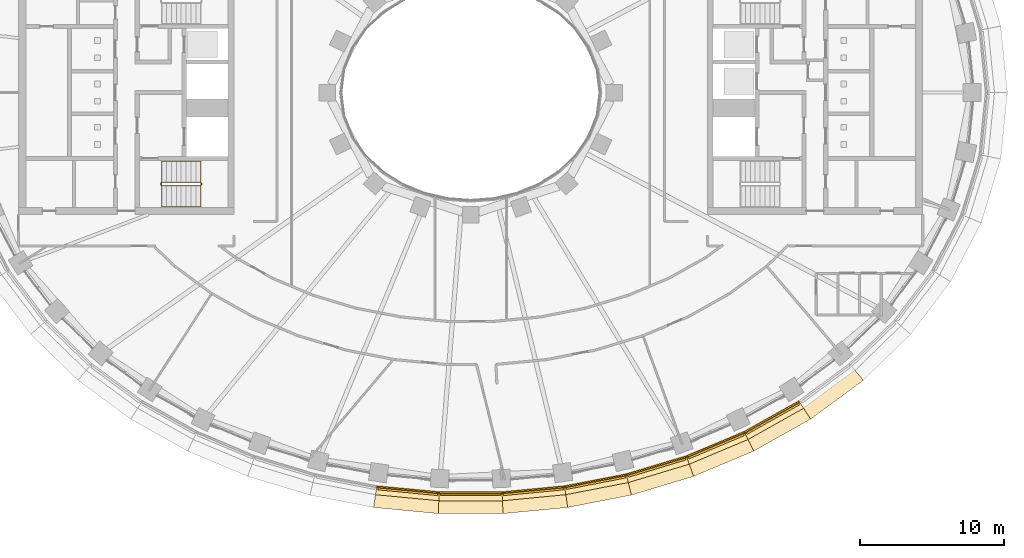
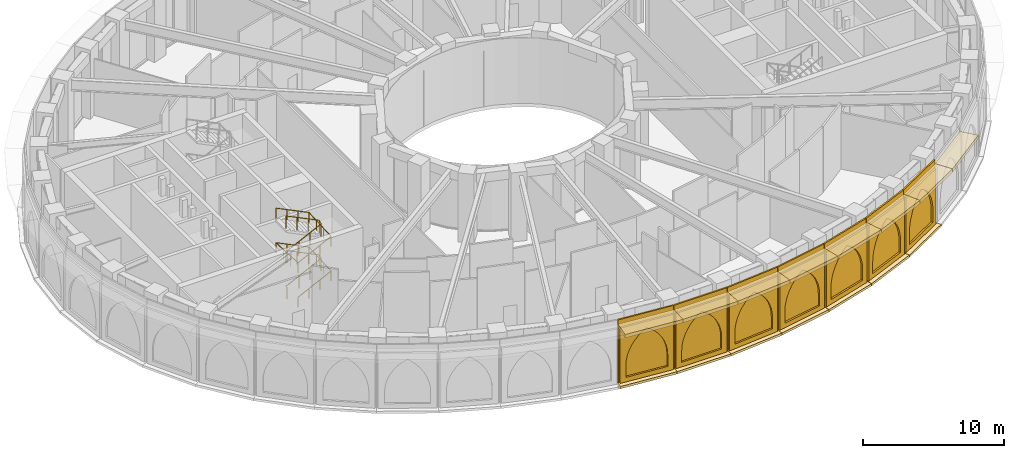
# One storey, part 18 of 23: 29 coverings, 2 railings.
"""IFC4 building model written with IfcOpenShell, lengths in metres."""

from ifc_helpers import new_model, si_unit, direction, frame, origin, origin_2d, place, context, subcontext, project, spatial, polyline, rectangle, outline, extrude, material, layer, layer_set, type_object, element, save


model = new_model("IFC4")

# Units and contexts
model_context = context("Model", 3, precision=1e-05, world=origin(), true_north=direction((0.0, 1.0)))
body_context = subcontext(model_context, "Body", "Model", "MODEL_VIEW")
ifc_project = project(units=[si_unit("LENGTHUNIT", "METRE"), si_unit("AREAUNIT", "SQUARE_METRE"), si_unit("VOLUMEUNIT", "CUBIC_METRE"), si_unit("PLANEANGLEUNIT", "RADIAN"), si_unit("MASSUNIT", "GRAM", prefix="KILO")], contexts=[model_context])

# Site, building, storey
site_placement = place(None, origin())
site = spatial("IfcSite", under=ifc_project, at=site_placement, CompositionType="ELEMENT")
building_placement = place(site_placement, origin())
building = spatial("IfcBuilding", under=site, at=building_placement, Name="Noorbagh Ring Tower", CompositionType="ELEMENT")
storey_placement = place(building_placement, frame((0.0, 0.0, 140.0)))
storey = spatial("IfcBuildingStorey", under=building, at=storey_placement, Name="L32", CompositionType="ELEMENT", Elevation=140.0)

# Railings
ifc_material_1 = material(Name="Stainless steel", Category="steel")
railing_type_1 = type_object("IfcRailingType", Name="CORE-STAIR-GUARD", PredefinedType="GUARDRAIL", material=ifc_material_1)
railing_1_placement = place(storey_placement, frame((-21.580078125, -6.449951171875, 0.0)))
element("IfcRailing", 1, at=railing_1_placement, inside=storey, type_object=railing_type_1, Name="L32 ST2 stair guard", PredefinedType="GUARDRAIL", context=body_context, shape_type="SweptSolid", body=[
    extrude(rectangle(XDim=0.048095703125, YDim=0.048095703125, at=origin_2d()), frame((0.0, 0.0, 1.076171875), z_axis=(0.0, 1.0, 0.0), x_axis=(-1.0, 0.0, 0.0)), (0.0, 0.0, 1.0), 0.14990234375),
    extrude(rectangle(XDim=0.048095703125, YDim=0.048095703125, at=origin_2d()), frame((0.0, 0.14990234375, 1.076171875), z_axis=(0.188775798145, -0.754182335027, 0.628945707965), x_axis=(0.970072785993, 0.242814311512, 0.0)), (0.0, 0.0, 1.0), 0.26513671875),
    extrude(rectangle(XDim=0.048095703125, YDim=0.048095703125, at=origin_2d()), frame((0.050048828125, -0.050048828125, 1.24267578125), z_axis=(0.897929466783, 0.0, 0.4401393787), x_axis=(0.0, 1.0, 0.0)), (0.0, 0.0, 1.0), 3.029052734375),
    extrude(rectangle(XDim=0.048095703125, YDim=0.048095703125, at=origin_2d()), frame((2.77001953125, -0.050048828125, 2.576171875), z_axis=(0.707106781187, 0.707106781187, 0.0), x_axis=(-0.707106781187, 0.707106781187, 0.0)), (0.0, 0.0, 1.0), 0.07080078125),
    extrude(rectangle(XDim=0.048095703125, YDim=0.048095703125, at=origin_2d()), frame((2.820068359375, 0.0, 2.576171875), z_axis=(0.0, 1.0, 0.0), x_axis=(-1.0, 0.0, 0.0)), (0.0, 0.0, 1.0), 0.14990234375),
    extrude(rectangle(XDim=0.048095703125, YDim=0.048095703125, at=origin_2d()), frame((2.820068359375, 0.14990234375, 2.576171875), z_axis=(-0.27628659633, 0.27628659633, 0.920506074601), x_axis=(-0.707106781187, -0.707106781187, 0.0)), (0.0, 0.0, 1.0), 0.18115234375),
    extrude(rectangle(XDim=0.048095703125, YDim=0.048095703125, at=origin_2d()), frame((2.77001953125, 0.199951171875, 2.74267578125), z_axis=(-0.897929466783, 0.0, 0.4401393787), x_axis=(0.0, -1.0, 0.0)), (0.0, 0.0, 1.0), 3.029052734375),
    extrude(rectangle(XDim=0.048095703125, YDim=0.048095703125, at=origin_2d()), frame((0.050048828125, 0.199951171875, 4.076171875), z_axis=(-0.242814311512, -0.970072785993, 0.0), x_axis=(0.970072785993, -0.242814311512, 0.0)), (0.0, 0.0, 1.0), 0.2060546875),
    extrude(rectangle(XDim=0.048095703125, YDim=0.048095703125, at=origin_2d()), frame((0.0, 0.0, 4.076171875), z_axis=(0.0, 1.0, 0.0), x_axis=(-1.0, 0.0, 0.0)), (0.0, 0.0, 1.0), 0.14990234375),
    extrude(rectangle(XDim=0.048095703125, YDim=0.048095703125, at=origin_2d()), frame((0.0, 0.14990234375, 4.076171875), z_axis=(0.188775798145, -0.754182335027, 0.628945707965), x_axis=(0.970072785993, 0.242814311512, 0.0)), (0.0, 0.0, 1.0), 0.26513671875),
    extrude(rectangle(XDim=0.048095703125, YDim=0.048095703125, at=origin_2d()), frame((0.050048828125, -0.050048828125, 4.24267578125), z_axis=(0.897929466783, 0.0, 0.4401393787), x_axis=(0.0, 1.0, 0.0)), (0.0, 0.0, 1.0), 3.029052734375),
    extrude(rectangle(XDim=0.048095703125, YDim=0.048095703125, at=origin_2d()), frame((2.77001953125, -0.050048828125, 5.576171875), z_axis=(0.707106781187, 0.707106781187, 0.0), x_axis=(-0.707106781187, 0.707106781187, 0.0)), (0.0, 0.0, 1.0), 0.07080078125),
    extrude(rectangle(XDim=0.048095703125, YDim=0.048095703125, at=origin_2d()), frame((2.820068359375, 0.0, 5.576171875), z_axis=(0.0, 1.0, 0.0), x_axis=(-1.0, 0.0, 0.0)), (0.0, 0.0, 1.0), 0.14990234375),
    extrude(rectangle(XDim=0.048095703125, YDim=0.048095703125, at=origin_2d()), frame((2.820068359375, 0.14990234375, 5.576171875), z_axis=(-0.27628659633, 0.27628659633, 0.920506074601), x_axis=(-0.707106781187, -0.707106781187, 0.0)), (0.0, 0.0, 1.0), 0.18115234375),
    extrude(rectangle(XDim=0.048095703125, YDim=0.048095703125, at=origin_2d()), frame((2.77001953125, 0.199951171875, 5.74267578125), z_axis=(-0.897929466783, 0.0, 0.4401393787), x_axis=(0.0, -1.0, 0.0)), (0.0, 0.0, 1.0), 3.029052734375),
    extrude(rectangle(XDim=0.0419921875, YDim=0.0419921875, at=origin_2d()), origin(), (0.0, 0.0, 1.0), 1.052001953125),
    extrude(rectangle(XDim=0.0419921875, YDim=0.0419921875, at=origin_2d()), frame((0.956787109375, -0.050048828125, 0.611083984375)), (0.0, 0.0, 1.0), 1.052001953125),
    extrude(rectangle(XDim=0.0419921875, YDim=0.0419921875, at=origin_2d()), frame((1.86328125, -0.050048828125, 1.0556640625)), (0.0, 0.0, 1.0), 1.052001953125),
    extrude(rectangle(XDim=0.0419921875, YDim=0.0419921875, at=origin_2d()), frame((2.77001953125, -0.050048828125, 1.5)), (0.0, 0.0, 1.0), 1.052001953125),
    extrude(rectangle(XDim=0.0419921875, YDim=0.0419921875, at=origin_2d()), frame((2.77001953125, 0.199951171875, 1.666748046875)), (0.0, 0.0, 1.0), 1.052001953125),
    extrude(rectangle(XDim=0.0419921875, YDim=0.0419921875, at=origin_2d()), frame((1.86328125, 0.199951171875, 2.111083984375)), (0.0, 0.0, 1.0), 1.052001953125),
    extrude(rectangle(XDim=0.0419921875, YDim=0.0419921875, at=origin_2d()), frame((0.956787109375, 0.199951171875, 2.5556640625)), (0.0, 0.0, 1.0), 1.052001953125),
    extrude(rectangle(XDim=0.0419921875, YDim=0.0419921875, at=origin_2d()), frame((0.050048828125, 0.199951171875, 3.0)), (0.0, 0.0, 1.0), 1.052001953125),
    extrude(rectangle(XDim=0.0419921875, YDim=0.0419921875, at=origin_2d()), frame((0.050048828125, -0.050048828125, 3.166748046875)), (0.0, 0.0, 1.0), 1.052001953125),
    extrude(rectangle(XDim=0.0419921875, YDim=0.0419921875, at=origin_2d()), frame((0.956787109375, -0.050048828125, 3.611083984375)), (0.0, 0.0, 1.0), 1.052001953125),
    extrude(rectangle(XDim=0.0419921875, YDim=0.0419921875, at=origin_2d()), frame((1.86328125, -0.050048828125, 4.0556640625)), (0.0, 0.0, 1.0), 1.052001953125),
    extrude(rectangle(XDim=0.0419921875, YDim=0.0419921875, at=origin_2d()), frame((2.77001953125, -0.050048828125, 4.5)), (0.0, 0.0, 1.0), 1.052001953125),
    extrude(rectangle(XDim=0.0419921875, YDim=0.0419921875, at=origin_2d()), frame((2.77001953125, 0.199951171875, 4.666748046875)), (0.0, 0.0, 1.0), 1.052001953125),
    extrude(rectangle(XDim=0.0419921875, YDim=0.0419921875, at=origin_2d()), frame((1.86328125, 0.199951171875, 5.111083984375)), (0.0, 0.0, 1.0), 1.052001953125),
    extrude(rectangle(XDim=0.0419921875, YDim=0.0419921875, at=origin_2d()), frame((0.956787109375, 0.199951171875, 5.5556640625)), (0.0, 0.0, 1.0), 1.052001953125),
    extrude(rectangle(XDim=0.0419921875, YDim=0.0419921875, at=origin_2d()), frame((0.050048828125, 0.199951171875, 6.0)), (0.0, 0.0, 1.0), 1.052001953125),
])
ifc_material_2 = material(Name="Stainless steel", Category="steel")
railing_type_2 = type_object("IfcRailingType", Name="CORE-STAIR-HANDRAIL", PredefinedType="HANDRAIL", material=ifc_material_2)
railing_2_placement = place(storey_placement, frame((-21.530029296875, -7.949951171875, 0.166748046875)))
element("IfcRailing", 2, at=railing_2_placement, inside=storey, type_object=railing_type_2, Name="L32 ST2 stair handrail", PredefinedType="HANDRAIL", context=body_context, shape_type="SweptSolid", body=[
    extrude(rectangle(XDim=0.048095703125, YDim=0.048095703125, at=origin_2d()), frame((0.0, 0.0, 0.8759765625), z_axis=(0.897929466783, 0.0, 0.4401393787), x_axis=(0.0, 1.0, 0.0)), (0.0, 0.0, 1.0), 3.029052734375),
    extrude(rectangle(XDim=0.048095703125, YDim=0.048095703125, at=origin_2d()), frame((2.719970703125, 0.0, 2.208984375), z_axis=(0.0, 0.998601747152, 0.052863509014), x_axis=(-1.0, 0.0, 0.0)), (0.0, 0.0, 1.0), 3.154296875),
    extrude(rectangle(XDim=0.048095703125, YDim=0.048095703125, at=origin_2d()), frame((2.719970703125, 3.14990234375, 2.3759765625), z_axis=(-0.897929466783, 0.0, 0.4401393787), x_axis=(0.0, -1.0, 0.0)), (0.0, 0.0, 1.0), 3.029052734375),
    extrude(rectangle(XDim=0.048095703125, YDim=0.048095703125, at=origin_2d()), frame((0.0, 3.14990234375, 3.708984375), z_axis=(0.0, -0.998601747152, 0.052863509014), x_axis=(1.0, 0.0, 0.0)), (0.0, 0.0, 1.0), 3.154296875),
    extrude(rectangle(XDim=0.048095703125, YDim=0.048095703125, at=origin_2d()), frame((0.0, 0.0, 3.8759765625), z_axis=(0.897929466783, 0.0, 0.4401393787), x_axis=(0.0, 1.0, 0.0)), (0.0, 0.0, 1.0), 3.029052734375),
    extrude(rectangle(XDim=0.048095703125, YDim=0.048095703125, at=origin_2d()), frame((2.719970703125, 0.0, 5.208984375), z_axis=(0.0, 0.998601747152, 0.052863509014), x_axis=(-1.0, 0.0, 0.0)), (0.0, 0.0, 1.0), 3.154296875),
    extrude(rectangle(XDim=0.048095703125, YDim=0.048095703125, at=origin_2d()), frame((2.719970703125, 3.14990234375, 5.3759765625), z_axis=(-0.897929466783, 0.0, 0.4401393787), x_axis=(0.0, -1.0, 0.0)), (0.0, 0.0, 1.0), 3.029052734375),
    extrude(rectangle(XDim=0.0419921875, YDim=0.0419921875, at=origin_2d()), origin(), (0.0, 0.0, 1.0), 0.851806640625),
    extrude(rectangle(XDim=0.0419921875, YDim=0.0419921875, at=origin_2d()), frame((0.90673828125, 0.0, 0.4443359375)), (0.0, 0.0, 1.0), 0.851806640625),
    extrude(rectangle(XDim=0.0419921875, YDim=0.0419921875, at=origin_2d()), frame((1.813232421875, 0.0, 0.888916015625)), (0.0, 0.0, 1.0), 0.851806640625),
    extrude(rectangle(XDim=0.0419921875, YDim=0.0419921875, at=origin_2d()), frame((2.719970703125, 0.0, 1.333251953125)), (0.0, 0.0, 1.0), 0.851806640625),
    extrude(rectangle(XDim=0.0419921875, YDim=0.0419921875, at=origin_2d()), frame((2.719970703125, 1.050048828125, 1.388916015625)), (0.0, 0.0, 1.0), 0.851806640625),
    extrude(rectangle(XDim=0.0419921875, YDim=0.0419921875, at=origin_2d()), frame((2.719970703125, 2.099853515625, 1.4443359375)), (0.0, 0.0, 1.0), 0.851806640625),
    extrude(rectangle(XDim=0.0419921875, YDim=0.0419921875, at=origin_2d()), frame((2.719970703125, 3.14990234375, 1.5)), (0.0, 0.0, 1.0), 0.851806640625),
    extrude(rectangle(XDim=0.0419921875, YDim=0.0419921875, at=origin_2d()), frame((1.813232421875, 3.14990234375, 1.9443359375)), (0.0, 0.0, 1.0), 0.851806640625),
    extrude(rectangle(XDim=0.0419921875, YDim=0.0419921875, at=origin_2d()), frame((0.90673828125, 3.14990234375, 2.388916015625)), (0.0, 0.0, 1.0), 0.851806640625),
    extrude(rectangle(XDim=0.0419921875, YDim=0.0419921875, at=origin_2d()), frame((0.0, 3.14990234375, 2.833251953125)), (0.0, 0.0, 1.0), 0.851806640625),
    extrude(rectangle(XDim=0.0419921875, YDim=0.0419921875, at=origin_2d()), frame((0.0, 2.099853515625, 2.888916015625)), (0.0, 0.0, 1.0), 0.851806640625),
    extrude(rectangle(XDim=0.0419921875, YDim=0.0419921875, at=origin_2d()), frame((0.0, 1.050048828125, 2.9443359375)), (0.0, 0.0, 1.0), 0.851806640625),
    extrude(rectangle(XDim=0.0419921875, YDim=0.0419921875, at=origin_2d()), frame((0.0, 0.0, 3.0)), (0.0, 0.0, 1.0), 0.851806640625),
    extrude(rectangle(XDim=0.0419921875, YDim=0.0419921875, at=origin_2d()), frame((0.90673828125, 0.0, 3.4443359375)), (0.0, 0.0, 1.0), 0.851806640625),
    extrude(rectangle(XDim=0.0419921875, YDim=0.0419921875, at=origin_2d()), frame((1.813232421875, 0.0, 3.888916015625)), (0.0, 0.0, 1.0), 0.851806640625),
    extrude(rectangle(XDim=0.0419921875, YDim=0.0419921875, at=origin_2d()), frame((2.719970703125, 0.0, 4.333251953125)), (0.0, 0.0, 1.0), 0.851806640625),
    extrude(rectangle(XDim=0.0419921875, YDim=0.0419921875, at=origin_2d()), frame((2.719970703125, 1.050048828125, 4.388916015625)), (0.0, 0.0, 1.0), 0.851806640625),
    extrude(rectangle(XDim=0.0419921875, YDim=0.0419921875, at=origin_2d()), frame((2.719970703125, 2.099853515625, 4.4443359375)), (0.0, 0.0, 1.0), 0.851806640625),
    extrude(rectangle(XDim=0.0419921875, YDim=0.0419921875, at=origin_2d()), frame((2.719970703125, 3.14990234375, 4.5)), (0.0, 0.0, 1.0), 0.851806640625),
    extrude(rectangle(XDim=0.0419921875, YDim=0.0419921875, at=origin_2d()), frame((1.813232421875, 3.14990234375, 4.9443359375)), (0.0, 0.0, 1.0), 0.851806640625),
    extrude(rectangle(XDim=0.0419921875, YDim=0.0419921875, at=origin_2d()), frame((0.90673828125, 3.14990234375, 5.388916015625)), (0.0, 0.0, 1.0), 0.851806640625),
    extrude(rectangle(XDim=0.0419921875, YDim=0.0419921875, at=origin_2d()), frame((0.0, 3.14990234375, 5.833251953125)), (0.0, 0.0, 1.0), 0.851806640625),
])

# Coverings
ifc_material_3 = material(Name="Aluminium 6063-T6 black anodised", Category="aluminium")
ifc_layer_1 = layer(ifc_material_3, 0.1201171875)
ifc_layer_set_1 = layer_set([ifc_layer_1], Name="Aluminium 6063-T6 black anodised")
covering_type_1 = type_object("IfcCoveringType", Name="ENV-LOUVRE-BAND", PredefinedType="CLADDING", material=ifc_layer_set_1)
for number, where, z_axis, x_axis, name in (
    (3, (-4.37060546875, -27.679931640625, -0.300048828125), (0.0, 0.0, 1.0), (0.995476497323, -0.095008122171, 0.0), "Louvre screen chord 34"),
    (4, (0.0, -27.887939453125, -0.300048828125), (0.0, 0.0, 1.0), (1.0, 0.0, 0.0), "Louvre screen chord 35"),
    (5, (4.37060546875, -27.679931640625, -0.300048828125), (0.0, 0.0, 1.0), (0.995476497323, 0.095008122171, 0.0), "Louvre screen chord 36"),
    (6, (8.700927734375, -27.053955078125, -0.300048828125), (0.0, 0.0, 1.0), (0.981624952922, 0.190820470077, 0.0), "Louvre screen chord 37"),
):
    element("IfcCovering", number, at=place(storey_placement, frame(where, z_axis=z_axis, x_axis=x_axis)), inside=storey, type_object=covering_type_1, Name=name, ObjectType="LOUVRE", PredefinedType="CLADDING", context=body_context, shape_type="SweptSolid", body=[
        extrude(rectangle(XDim=4.349853515625, YDim=0.1201171875, at=origin_2d()), origin(), (0.0, 0.0, 1.0), 6.0),
    ])
covering_1_placement = place(storey_placement, frame((12.947998046875, -26.0048828125, -0.300048828125), z_axis=(0.0, 0.0, 1.0), x_axis=(0.957577925467, 0.28817445525, 0.0)))
element("IfcCovering", 7, at=covering_1_placement, inside=storey, type_object=covering_type_1, Name="Louvre screen chord 38", ObjectType="LOUVRE", PredefinedType="CLADDING", context=body_context, shape_type="SweptSolid", body=[
    extrude(rectangle(XDim=4.349609375, YDim=0.1201171875, at=origin_2d()), origin(), (0.0, 0.0, 1.0), 6.0),
])
covering_2_placement = place(storey_placement, frame((17.0634765625, -24.52490234375, -0.300048828125), z_axis=(0.0, 0.0, 1.0), x_axis=(0.921811566494, 0.387638279686, 0.0)))
element("IfcCovering", 8, at=covering_2_placement, inside=storey, type_object=covering_type_1, Name="Louvre screen chord 39", ObjectType="LOUVRE", PredefinedType="CLADDING", context=body_context, shape_type="SweptSolid", body=[
    extrude(rectangle(XDim=4.349365234375, YDim=0.1201171875, at=origin_2d()), origin(), (0.0, 0.0, 1.0), 6.0),
])
covering_3_placement = place(storey_placement, frame((20.990966796875, -22.604736328125, -0.300048828125), z_axis=(0.0, 0.0, 1.0), x_axis=(0.872044586249, 0.48942643941, 0.0)))
element("IfcCovering", 9, at=covering_3_placement, inside=storey, type_object=covering_type_1, Name="Louvre screen chord 40", ObjectType="LOUVRE", PredefinedType="CLADDING", context=body_context, shape_type="SweptSolid", body=[
    extrude(rectangle(XDim=4.34912109375, YDim=0.1201171875, at=origin_2d()), origin(), (0.0, 0.0, 1.0), 6.0),
])
ifc_material_4 = material(Name="Red sandstone cladding", Category="masonry")
ifc_layer_2 = layer(ifc_material_4, 0.14990234375)
ifc_layer_set_2 = layer_set([ifc_layer_2], Name="Red sandstone cladding")
covering_type_2 = type_object("IfcCoveringType", Name="STYLE-BAND-ARCADE", PredefinedType="USERDEFINED", material=ifc_layer_set_2)
covering_4_placement = place(storey_placement, frame((-6.474365234375, -27.690185546875, 0.25), z_axis=(-0.094998982718, -0.995477369548, 0.0), x_axis=(0.995477369548, -0.094998982718, 0.0)))
element("IfcCovering", 10, at=covering_4_placement, inside=storey, type_object=covering_type_2, Name="Blind arch bay of the band", ObjectType="ARCH", PredefinedType="USERDEFINED", context=body_context, shape_type="SweptSolid", body=[
    extrude(outline(polyline([(0.0, 0.0), (4.1865234375, 0.0), (4.1865234375, 4.800048828125), (0.0, 4.800048828125), (0.0, 0.0)]), holes=[polyline([(0.449951171875, 0.39990234375), (0.449951171875, 1.404052734375), (0.47802734375, 1.8330078125), (0.56201171875, 2.254638671875), (0.7001953125, 2.66162109375), (0.890380859375, 3.047119140625), (1.129150390625, 3.404541015625), (1.41259765625, 3.727783203125), (1.735595703125, 4.01123046875), (2.09326171875, 4.25), (2.45068359375, 4.01123046875), (2.773681640625, 3.727783203125), (3.05712890625, 3.404541015625), (3.2958984375, 3.047119140625), (3.486083984375, 2.66162109375), (3.624267578125, 2.254638671875), (3.708251953125, 1.8330078125), (3.736328125, 1.404052734375), (3.736328125, 0.39990234375), (0.449951171875, 0.39990234375)])]), origin(), (0.0, 0.0, -1.0), 0.14990234375),
])
covering_5_placement = place(storey_placement, frame((-2.09326171875, -28.097900390625, 0.25), z_axis=(0.0, -1.0, 0.0), x_axis=(1.0, 0.0, 0.0)))
element("IfcCovering", 11, at=covering_5_placement, inside=storey, type_object=covering_type_2, Name="Blind arch bay of the band", ObjectType="ARCH", PredefinedType="USERDEFINED", context=body_context, shape_type="SweptSolid", body=[
    extrude(outline(polyline([(0.0, 0.0), (4.1865234375, 0.0), (4.1865234375, 4.800048828125), (0.0, 4.800048828125), (0.0, 0.0)]), holes=[polyline([(0.449951171875, 0.39990234375), (0.449951171875, 1.404052734375), (0.47802734375, 1.8330078125), (0.56201171875, 2.254638671875), (0.7001953125, 2.66162109375), (0.890380859375, 3.047119140625), (1.129150390625, 3.404541015625), (1.41259765625, 3.727783203125), (1.735595703125, 4.01123046875), (2.09326171875, 4.25), (2.45068359375, 4.01123046875), (2.773681640625, 3.727783203125), (3.05712890625, 3.404541015625), (3.296142578125, 3.047119140625), (3.486083984375, 2.66162109375), (3.62451171875, 2.254638671875), (3.708251953125, 1.8330078125), (3.736328125, 1.404052734375), (3.736328125, 0.39990234375), (0.449951171875, 0.39990234375)])]), origin(), (0.0, 0.0, -1.0), 0.14990234375),
])
covering_6_placement = place(storey_placement, frame((2.306884765625, -28.087890625, 0.25), z_axis=(0.094998982718, -0.995477369548, 0.0), x_axis=(0.995477369548, 0.094998982718, 0.0)))
element("IfcCovering", 12, at=covering_6_placement, inside=storey, type_object=covering_type_2, Name="Blind arch bay of the band", ObjectType="ARCH", PredefinedType="USERDEFINED", context=body_context, shape_type="SweptSolid", body=[
    extrude(outline(polyline([(0.0, 0.0), (4.1865234375, 0.0), (4.1865234375, 4.800048828125), (0.0, 4.800048828125), (0.0, 0.0)]), holes=[polyline([(0.449951171875, 0.39990234375), (0.449951171875, 1.404052734375), (0.47802734375, 1.8330078125), (0.56201171875, 2.254638671875), (0.7001953125, 2.66162109375), (0.890380859375, 3.047119140625), (1.129150390625, 3.404541015625), (1.41259765625, 3.727783203125), (1.735595703125, 4.01123046875), (2.09326171875, 4.25), (2.45068359375, 4.01123046875), (2.773681640625, 3.727783203125), (3.05712890625, 3.404541015625), (3.2958984375, 3.047119140625), (3.486083984375, 2.66162109375), (3.624267578125, 2.254638671875), (3.708251953125, 1.8330078125), (3.736328125, 1.404052734375), (3.736328125, 0.39990234375), (0.449951171875, 0.39990234375)])]), origin(), (0.0, 0.0, -1.0), 0.14990234375),
])
covering_7_placement = place(storey_placement, frame((6.6865234375, -27.659423828125, 0.25), z_axis=(0.190819708322, -0.981625101001, 0.0), x_axis=(0.981625101001, 0.190819708322, 0.0)))
element("IfcCovering", 13, at=covering_7_placement, inside=storey, type_object=covering_type_2, Name="Blind arch bay of the band", ObjectType="ARCH", PredefinedType="USERDEFINED", context=body_context, shape_type="SweptSolid", body=[
    extrude(outline(polyline([(0.0, 0.0), (4.186279296875, 0.0), (4.186279296875, 4.800048828125), (0.0, 4.800048828125), (0.0, 0.0)]), holes=[polyline([(0.449951171875, 0.39990234375), (0.449951171875, 1.404052734375), (0.47802734375, 1.8330078125), (0.56201171875, 2.254638671875), (0.7001953125, 2.66162109375), (0.890380859375, 3.047119140625), (1.129150390625, 3.40478515625), (1.41259765625, 3.727783203125), (1.735595703125, 4.01123046875), (2.093017578125, 4.25), (2.450439453125, 4.01123046875), (2.773681640625, 3.727783203125), (3.05712890625, 3.40478515625), (3.2958984375, 3.047119140625), (3.486083984375, 2.66162109375), (3.624267578125, 2.254638671875), (3.7080078125, 1.8330078125), (3.736083984375, 1.404052734375), (3.736083984375, 0.39990234375), (0.449951171875, 0.39990234375)])]), origin(), (0.0, 0.0, -1.0), 0.14990234375),
])
covering_8_placement = place(storey_placement, frame((11.00439453125, -26.80908203125, 0.25), z_axis=(0.288182515773, -0.957575499688, 0.0), x_axis=(0.957575499688, 0.288182515773, 0.0)))
element("IfcCovering", 14, at=covering_8_placement, inside=storey, type_object=covering_type_2, Name="Blind arch bay of the band", ObjectType="ARCH", PredefinedType="USERDEFINED", context=body_context, shape_type="SweptSolid", body=[
    extrude(outline(polyline([(0.0, 0.0), (4.185791015625, 0.0), (4.185791015625, 4.800048828125), (0.0, 4.800048828125), (0.0, 0.0)]), holes=[polyline([(0.449951171875, 0.39990234375), (0.449951171875, 1.404296875), (0.47802734375, 1.833251953125), (0.56201171875, 2.2548828125), (0.7001953125, 2.661865234375), (0.890380859375, 3.04736328125), (1.129150390625, 3.40478515625), (1.41259765625, 3.727783203125), (1.735595703125, 4.01123046875), (2.093017578125, 4.25), (2.450439453125, 4.01123046875), (2.773681640625, 3.727783203125), (3.056884765625, 3.40478515625), (3.2958984375, 3.04736328125), (3.48583984375, 2.661865234375), (3.6240234375, 2.2548828125), (3.7080078125, 1.833251953125), (3.736083984375, 1.404296875), (3.736083984375, 0.39990234375), (0.449951171875, 0.39990234375)])]), origin(), (0.0, 0.0, -1.0), 0.14990234375),
])
covering_9_placement = place(storey_placement, frame((15.215576171875, -25.52978515625, 0.25), z_axis=(0.387624121421, -0.92181752017, 0.0), x_axis=(0.92181752017, 0.387624121421, 0.0)))
element("IfcCovering", 15, at=covering_9_placement, inside=storey, type_object=covering_type_2, Name="Blind arch bay of the band", ObjectType="ARCH", PredefinedType="USERDEFINED", context=body_context, shape_type="SweptSolid", body=[
    extrude(outline(polyline([(0.0, 0.0), (4.185791015625, 0.0), (4.185791015625, 4.800048828125), (0.0, 4.800048828125), (0.0, 0.0)]), holes=[polyline([(0.449951171875, 0.39990234375), (0.449951171875, 1.404541015625), (0.47802734375, 1.83349609375), (0.56201171875, 2.2548828125), (0.7001953125, 2.661865234375), (0.89013671875, 3.04736328125), (1.12890625, 3.40478515625), (1.412353515625, 3.727783203125), (1.735595703125, 4.01123046875), (2.093017578125, 4.25), (2.4501953125, 4.01123046875), (2.7734375, 3.727783203125), (3.056884765625, 3.40478515625), (3.295654296875, 3.04736328125), (3.485595703125, 2.661865234375), (3.623779296875, 2.2548828125), (3.707763671875, 1.83349609375), (3.73583984375, 1.404541015625), (3.73583984375, 0.39990234375), (0.449951171875, 0.39990234375)])]), origin(), (0.0, 0.0, -1.0), 0.14990234375),
])
covering_10_placement = place(storey_placement, frame((19.268798828125, -23.81201171875, 0.25), z_axis=(0.489402470802, -0.872058037961, 0.0), x_axis=(0.872058037961, 0.489402470802, 0.0)))
element("IfcCovering", 16, at=covering_10_placement, inside=storey, type_object=covering_type_2, Name="Blind arch bay of the band", ObjectType="ARCH", PredefinedType="USERDEFINED", context=body_context, shape_type="SweptSolid", body=[
    extrude(outline(polyline([(0.0, 0.0), (4.185302734375, 0.0), (4.185302734375, 4.800048828125), (0.0, 4.800048828125), (0.0, 0.0)]), holes=[polyline([(0.449951171875, 0.39990234375), (0.449951171875, 1.40478515625), (0.47802734375, 1.83349609375), (0.56201171875, 2.255126953125), (0.7001953125, 2.662109375), (0.89013671875, 3.047607421875), (1.12890625, 3.40478515625), (1.412353515625, 3.72802734375), (1.7353515625, 4.01123046875), (2.0927734375, 4.25), (2.4501953125, 4.01123046875), (2.773193359375, 3.72802734375), (3.056396484375, 3.40478515625), (3.29541015625, 3.047607421875), (3.4853515625, 2.662109375), (3.62353515625, 2.255126953125), (3.70751953125, 1.83349609375), (3.735595703125, 1.40478515625), (3.735595703125, 0.39990234375), (0.449951171875, 0.39990234375)])]), origin(), (0.0, 0.0, -1.0), 0.14990234375),
])
ifc_material_5 = material(Name="Red sandstone eave", Category="masonry")
covering_type_3 = type_object("IfcCoveringType", Name="STYLE-BAND-EAVE", PredefinedType="USERDEFINED", material=ifc_material_5)
covering_11_placement = place(storey_placement, frame((0.0, 0.0, 5.050048828125)))
element("IfcCovering", 17, at=covering_11_placement, inside=storey, type_object=covering_type_3, Name="Chhajja eave", ObjectType="CHHAJJA", PredefinedType="USERDEFINED", context=body_context, shape_type="SweptSolid", body=[
    extrude(outline(polyline([(-6.559814453125, -27.53125), (-2.193115234375, -27.947998046875), (-2.259765625, -29.347900390625), (-6.76025390625, -28.91845703125), (-6.559814453125, -27.53125)])), origin(), (0.0, 0.0, 1.0), 0.300048828125),
])
covering_12_placement = place(storey_placement, frame((0.0, 0.0, 5.050048828125)))
element("IfcCovering", 18, at=covering_12_placement, inside=storey, type_object=covering_type_3, Name="Chhajja eave", ObjectType="CHHAJJA", PredefinedType="USERDEFINED", context=body_context, shape_type="SweptSolid", body=[
    extrude(outline(polyline([(-2.193115234375, -27.947998046875), (2.193115234375, -27.947998046875), (2.259765625, -29.347900390625), (-2.259765625, -29.347900390625), (-2.193115234375, -27.947998046875)])), origin(), (0.0, 0.0, 1.0), 0.300048828125),
])
covering_13_placement = place(storey_placement, frame((0.0, 0.0, 5.050048828125)))
element("IfcCovering", 19, at=covering_13_placement, inside=storey, type_object=covering_type_3, Name="Chhajja eave", ObjectType="CHHAJJA", PredefinedType="USERDEFINED", context=body_context, shape_type="SweptSolid", body=[
    extrude(outline(polyline([(2.193115234375, -27.947998046875), (6.559814453125, -27.53125), (6.76025390625, -28.91845703125), (2.259765625, -29.347900390625), (2.193115234375, -27.947998046875)])), origin(), (0.0, 0.0, 1.0), 0.300048828125),
])
covering_14_placement = place(storey_placement, frame((0.0, 0.0, 5.050048828125)))
element("IfcCovering", 20, at=covering_14_placement, inside=storey, type_object=covering_type_3, Name="Chhajja eave", ObjectType="CHHAJJA", PredefinedType="USERDEFINED", context=body_context, shape_type="SweptSolid", body=[
    extrude(outline(polyline([(6.559814453125, -27.53125), (10.865234375, -26.6943359375), (11.201416015625, -28.05517578125), (6.76025390625, -28.91845703125), (6.559814453125, -27.53125)])), origin(), (0.0, 0.0, 1.0), 0.300048828125),
])
covering_15_placement = place(storey_placement, frame((0.0, 0.0, 5.050048828125)))
element("IfcCovering", 21, at=covering_15_placement, inside=storey, type_object=covering_type_3, Name="Chhajja eave", ObjectType="CHHAJJA", PredefinedType="USERDEFINED", context=body_context, shape_type="SweptSolid", body=[
    extrude(outline(polyline([(10.865234375, -26.6943359375), (15.065185546875, -25.430419921875), (15.539794921875, -26.74951171875), (11.201416015625, -28.05517578125), (10.865234375, -26.6943359375)])), origin(), (0.0, 0.0, 1.0), 0.300048828125),
])
covering_16_placement = place(storey_placement, frame((0.0, 0.0, 5.050048828125)))
element("IfcCovering", 22, at=covering_16_placement, inside=storey, type_object=covering_type_3, Name="Chhajja eave", ObjectType="CHHAJJA", PredefinedType="USERDEFINED", context=body_context, shape_type="SweptSolid", body=[
    extrude(outline(polyline([(15.065185546875, -25.430419921875), (19.108154296875, -23.730224609375), (19.72412109375, -24.989990234375), (15.539794921875, -26.74951171875), (15.065185546875, -25.430419921875)])), origin(), (0.0, 0.0, 1.0), 0.300048828125),
])
covering_17_placement = place(storey_placement, frame((0.0, 0.0, 5.050048828125)))
element("IfcCovering", 23, at=covering_17_placement, inside=storey, type_object=covering_type_3, Name="Chhajja eave", ObjectType="CHHAJJA", PredefinedType="USERDEFINED", context=body_context, shape_type="SweptSolid", body=[
    extrude(outline(polyline([(19.108154296875, -23.730224609375), (22.9326171875, -21.583740234375), (23.693115234375, -22.762451171875), (19.72412109375, -24.989990234375), (19.108154296875, -23.730224609375)])), origin(), (0.0, 0.0, 1.0), 0.300048828125),
])
covering_18_placement = place(storey_placement, frame((0.0, 0.0, 5.050048828125)))
element("IfcCovering", 24, at=covering_18_placement, inside=storey, type_object=covering_type_3, Name="Chhajja eave", ObjectType="CHHAJJA", PredefinedType="USERDEFINED", context=body_context, shape_type="SweptSolid", body=[
    extrude(outline(polyline([(22.9326171875, -21.583740234375), (26.463134765625, -18.9833984375), (27.3701171875, -20.053955078125), (23.693115234375, -22.762451171875), (22.9326171875, -21.583740234375)])), origin(), (0.0, 0.0, 1.0), 0.300048828125),
])
ifc_material_6 = material(Name="Red sandstone eave", Category="masonry")
covering_type_4 = type_object("IfcCoveringType", Name="STYLE-BAND-SILL", PredefinedType="USERDEFINED", material=ifc_material_6)
covering_19_placement = place(storey_placement, frame((0.0, 0.0, 0.050048828125)))
element("IfcCovering", 25, at=covering_19_placement, inside=storey, type_object=covering_type_4, Name="Sill ledge", ObjectType="CHHAJJA", PredefinedType="USERDEFINED", context=body_context, shape_type="SweptSolid", body=[
    extrude(outline(polyline([(-6.559814453125, -27.53125), (-2.193115234375, -27.947998046875), (-2.217041015625, -28.447998046875), (-6.63134765625, -28.026611328125), (-6.559814453125, -27.53125)])), origin(), (0.0, 0.0, 1.0), 0.199951171875),
])
covering_20_placement = place(storey_placement, frame((0.0, 0.0, 0.050048828125)))
element("IfcCovering", 26, at=covering_20_placement, inside=storey, type_object=covering_type_4, Name="Sill ledge", ObjectType="CHHAJJA", PredefinedType="USERDEFINED", context=body_context, shape_type="SweptSolid", body=[
    extrude(outline(polyline([(-2.193115234375, -27.947998046875), (2.193115234375, -27.947998046875), (2.217041015625, -28.447998046875), (-2.217041015625, -28.447998046875), (-2.193115234375, -27.947998046875)])), origin(), (0.0, 0.0, 1.0), 0.199951171875),
])
covering_21_placement = place(storey_placement, frame((0.0, 0.0, 0.050048828125)))
element("IfcCovering", 27, at=covering_21_placement, inside=storey, type_object=covering_type_4, Name="Sill ledge", ObjectType="CHHAJJA", PredefinedType="USERDEFINED", context=body_context, shape_type="SweptSolid", body=[
    extrude(outline(polyline([(2.193115234375, -27.947998046875), (6.559814453125, -27.53125), (6.63134765625, -28.026611328125), (2.217041015625, -28.447998046875), (2.193115234375, -27.947998046875)])), origin(), (0.0, 0.0, 1.0), 0.199951171875),
])
covering_22_placement = place(storey_placement, frame((0.0, 0.0, 0.050048828125)))
element("IfcCovering", 28, at=covering_22_placement, inside=storey, type_object=covering_type_4, Name="Sill ledge", ObjectType="CHHAJJA", PredefinedType="USERDEFINED", context=body_context, shape_type="SweptSolid", body=[
    extrude(outline(polyline([(6.559814453125, -27.53125), (10.865234375, -26.6943359375), (10.9853515625, -27.180419921875), (6.63134765625, -28.026611328125), (6.559814453125, -27.53125)])), origin(), (0.0, 0.0, 1.0), 0.199951171875),
])
covering_23_placement = place(storey_placement, frame((0.0, 0.0, 0.050048828125)))
element("IfcCovering", 29, at=covering_23_placement, inside=storey, type_object=covering_type_4, Name="Sill ledge", ObjectType="CHHAJJA", PredefinedType="USERDEFINED", context=body_context, shape_type="SweptSolid", body=[
    extrude(outline(polyline([(10.865234375, -26.6943359375), (15.065185546875, -25.430419921875), (15.234619140625, -25.901611328125), (10.9853515625, -27.180419921875), (10.865234375, -26.6943359375)])), origin(), (0.0, 0.0, 1.0), 0.199951171875),
])
covering_24_placement = place(storey_placement, frame((0.0, 0.0, 0.050048828125)))
element("IfcCovering", 30, at=covering_24_placement, inside=storey, type_object=covering_type_4, Name="Sill ledge", ObjectType="CHHAJJA", PredefinedType="USERDEFINED", context=body_context, shape_type="SweptSolid", body=[
    extrude(outline(polyline([(15.065185546875, -25.430419921875), (19.108154296875, -23.730224609375), (19.328125, -24.18017578125), (15.234619140625, -25.901611328125), (15.065185546875, -25.430419921875)])), origin(), (0.0, 0.0, 1.0), 0.199951171875),
])
covering_25_placement = place(storey_placement, frame((0.0, 0.0, 0.050048828125)))
element("IfcCovering", 31, at=covering_25_placement, inside=storey, type_object=covering_type_4, Name="Sill ledge", ObjectType="CHHAJJA", PredefinedType="USERDEFINED", context=body_context, shape_type="SweptSolid", body=[
    extrude(outline(polyline([(19.108154296875, -23.730224609375), (22.9326171875, -21.583740234375), (23.2041015625, -22.004638671875), (19.328125, -24.18017578125), (19.108154296875, -23.730224609375)])), origin(), (0.0, 0.0, 1.0), 0.199951171875),
])

save(model, "model.ifc")
